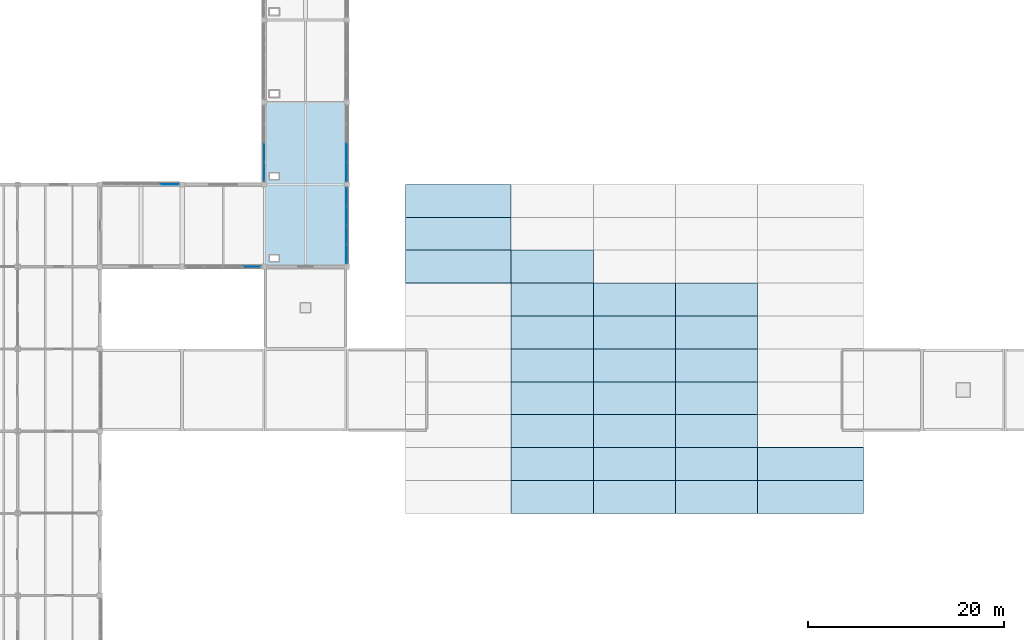
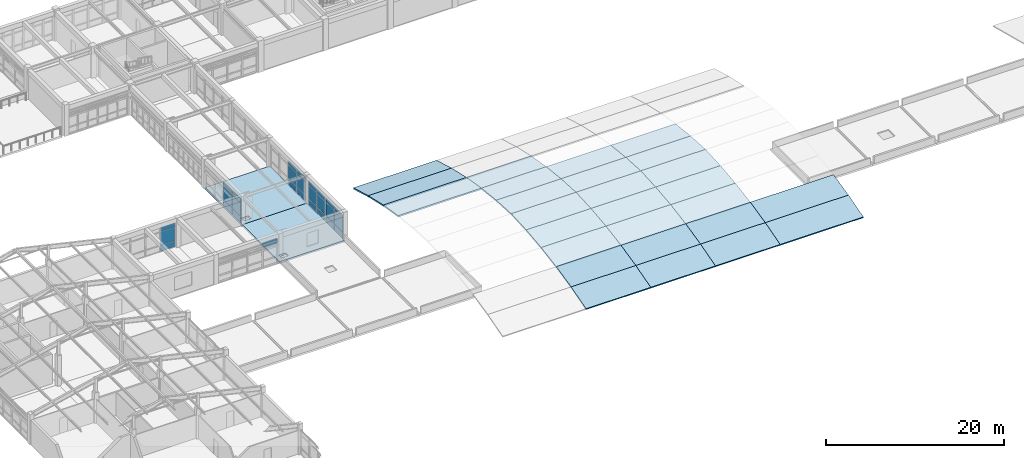
# One storey, part 22 of 40: 29 slabs, 28 plates, 5 elements without a shape of their own.
"""IFC4 building model written with IfcOpenShell, lengths in metres."""

import ifcopenshell
import ifcopenshell.guid

model = None  # the IFC model being written
_history = None  # IfcOwnerHistory: only IFC2X3 demands one
_inside = {}  # id of a spatial element -> (the spatial element, [elements in it])
_under = {}  # id of a project, library or spatial element -> (it, [spatial elements below it])
_declared = {}  # id of a project -> (the project, [libraries it declares])
_typed = {}  # id of a type object -> (the type object, [elements of that type])
_made_of = {}  # id of a material, layer set ... -> (it, [elements and type objects made of it])


def new_model(schema):
    """Start an empty IFC model of exactly this schema.

    Asked for "IFC4X3", IfcOpenShell would pick the latest addendum, in which some entities
    have other attributes; the version numbers below select the first issue.
    IFC2X3 requires an IfcOwnerHistory on every rooted entity: one is made here for all.
    """
    global model, _history
    if schema == "IFC4X3":
        model = ifcopenshell.file(schema_version=(4, 3, 0, 0))
    else:
        model = ifcopenshell.file(schema=schema)
    _inside.clear()
    _under.clear()
    _declared.clear()
    _typed.clear()
    _made_of.clear()
    _history = None
    if model.schema == "IFC2X3":
        org = make("IfcOrganization", Name="unknown")
        user = make(
            "IfcPersonAndOrganization",
            ThePerson=make("IfcPerson", FamilyName="unknown"),
            TheOrganization=org,
        )
        app = make(
            "IfcApplication",
            ApplicationDeveloper=org,
            Version="unknown",
            ApplicationFullName="unknown",
            ApplicationIdentifier="unknown",
        )
        _history = make(
            "IfcOwnerHistory",
            OwningUser=user,
            OwningApplication=app,
            ChangeAction="ADDED",
            CreationDate=0,
        )
    return model


def make(cls, **values):
    """One entity of the class cls with the attributes given. An attribute that is None is left unset."""
    return model.create_entity(
        cls, **{name: value for name, value in values.items() if value is not None}
    )


def rooted(cls, **values):
    """An entity with a GlobalId (a new one), such as an element, a storey or a relation."""
    return make(cls, GlobalId=ifcopenshell.guid.new(), OwnerHistory=_history, **values)


def si_unit(unit_type, name, prefix=None):
    """IfcSIUnit, for example si_unit("LENGTHUNIT", "METRE", prefix="MILLI")."""
    return make("IfcSIUnit", UnitType=unit_type, Prefix=prefix, Name=name)


def assignment(units):
    """IfcUnitAssignment: the units of a project."""
    return None if units is None else make("IfcUnitAssignment", Units=units)


def point(xyz):
    """IfcCartesianPoint."""
    return None if xyz is None else make("IfcCartesianPoint", Coordinates=xyz)


def direction(xyz):
    """IfcDirection."""
    return None if xyz is None else make("IfcDirection", DirectionRatios=xyz)


def frame(location, z_axis=None, x_axis=None):
    """IfcAxis2Placement3D, a coordinate frame: its origin and axes. An axis left out is left unset."""
    return make(
        "IfcAxis2Placement3D",
        Location=point(location),
        Axis=direction(z_axis),
        RefDirection=direction(x_axis),
    )


def frame_2d(location, x_axis=None):
    """IfcAxis2Placement2D, a coordinate frame in the plane: its origin and x axis."""
    return make(
        "IfcAxis2Placement2D", Location=point(location), RefDirection=direction(x_axis)
    )


def origin():
    """The frame at (0, 0, 0) with its axes left unset."""
    return frame((0.0, 0.0, 0.0))


def origin_2d():
    """The frame at (0, 0) in the plane with its x axis left unset."""
    return frame_2d((0.0, 0.0))


def place(relative_to, where):
    """IfcLocalPlacement: puts the frame where relative to a parent placement (None: the world)."""
    return make(
        "IfcLocalPlacement", PlacementRelTo=relative_to, RelativePlacement=where
    )


def context(
    kind, dimensions, precision=None, world=None, true_north=None, identifier=None
):
    """IfcGeometricRepresentationContext, for example the 3D "Model" context."""
    return make(
        "IfcGeometricRepresentationContext",
        ContextIdentifier=identifier,
        ContextType=kind,
        CoordinateSpaceDimension=dimensions,
        Precision=precision,
        WorldCoordinateSystem=world,
        TrueNorth=true_north,
    )


def subcontext(parent, identifier, kind, view, scale=None):
    """IfcGeometricRepresentationSubContext, for example "Body" below "Model"."""
    return make(
        "IfcGeometricRepresentationSubContext",
        ContextIdentifier=identifier,
        ContextType=kind,
        ParentContext=parent,
        TargetScale=scale,
        TargetView=view,
    )


def project(units=None, contexts=None):
    """IfcProject with its units and contexts."""
    return rooted(
        "IfcProject",
        Name="project",
        RepresentationContexts=contexts,
        UnitsInContext=assignment(units),
    )


def spatial(cls, under=None, at=None, **own):
    """A site, building, storey or space (cls), placed at a placement, below another one or the project."""
    s = rooted(cls, ObjectPlacement=at, **own)
    if under is not None:
        _under.setdefault(under.id(), (under, []))[1].append(s)
    return s


def polyline(points):
    """IfcPolyline through the points."""
    return make("IfcPolyline", Points=[point(p) for p in points])


def profile(cls, at=None, kind="AREA", **sizes):
    """A parametric profile (cls). Its sizes go by their IFC names, for example OverallWidth=200.0."""
    return make(cls, ProfileType=kind, Position=at, **sizes)


def rectangle(**sizes):
    """IfcRectangleProfileDef."""
    return profile("IfcRectangleProfileDef", **sizes)


def outline(outer, holes=None, kind="AREA"):
    """IfcArbitraryClosedProfileDef: a profile drawn as a closed curve; with holes, ...WithVoids."""
    if holes is None:
        return make("IfcArbitraryClosedProfileDef", ProfileType=kind, OuterCurve=outer)
    return make(
        "IfcArbitraryProfileDefWithVoids",
        ProfileType=kind,
        OuterCurve=outer,
        InnerCurves=holes,
    )


def extrude(swept, where, along, depth):
    """IfcExtrudedAreaSolid: the profile swept, set in the frame where, extruded along a direction by depth."""
    return make(
        "IfcExtrudedAreaSolid",
        SweptArea=swept,
        Position=where,
        ExtrudedDirection=direction(along),
        Depth=depth,
    )


def shape(context_of_items, identifier, shape_type, items):
    """IfcShapeRepresentation: the items that make up one representation, for example the "Body"."""
    return make(
        "IfcShapeRepresentation",
        ContextOfItems=context_of_items,
        RepresentationIdentifier=identifier,
        RepresentationType=shape_type,
        Items=items,
    )


def material(Name=None, Category=None):
    """IfcMaterial."""
    return make("IfcMaterial", Name=Name, Category=Category)


def layer(
    of_material, thickness, ventilated=None, Name=None, Category=None, Priority=None
):
    """IfcMaterialLayer: one layer of a wall or slab, of a material (None: an air gap)."""
    return make(
        "IfcMaterialLayer",
        Material=of_material,
        LayerThickness=thickness,
        IsVentilated=ventilated,
        Name=Name,
        Category=Category,
        Priority=Priority,
    )


def layer_set(layers, Name=None):
    """IfcMaterialLayerSet."""
    return make("IfcMaterialLayerSet", MaterialLayers=layers, LayerSetName=Name)


def made_of(thing, what):
    """Note that an element or type object is made of a material, layer set ...; save() writes the relation."""
    if what is not None:
        _made_of.setdefault(what.id(), (what, []))[1].append(thing)
    return thing


def type_object(cls, material=None, **own):
    """A type object (cls), such as IfcWallType, which elements share."""
    return made_of(rooted(cls, **own), material)


def element(
    cls,
    number,
    at=None,
    inside=None,
    cuts=None,
    type_object=None,
    material=None,
    context=None,
    identifier="Body",
    shape_type=None,
    held_by="IfcProductDefinitionShape",
    body=None,
    shapes=None,
    **own,
):
    """One element of the class cls, such as IfcWall. Its Tag is "e" and its number.

    at: its placement. inside: the storey or other place that contains it. cuts: it is an
    opening in that element (IfcRelVoidsElement). A single representation is given by context,
    identifier, shape_type and body (its items); several are given by shapes. held_by: the class
    of the entity that holds the representations. save() writes the other relations.
    """
    e = rooted(cls, Tag="e%d" % number, ObjectPlacement=at, **own)
    if body is not None:
        shapes = [shape(context, identifier, shape_type, body)]
    if shapes is not None:
        e.Representation = make(held_by, Representations=shapes)
    if inside is not None:
        _inside.setdefault(inside.id(), (inside, []))[1].append(e)
    if cuts is not None:
        rooted(
            "IfcRelVoidsElement", RelatingBuildingElement=cuts, RelatedOpeningElement=e
        )
    if type_object is not None:
        _typed.setdefault(type_object.id(), (type_object, []))[1].append(e)
    return made_of(e, material)


def aggregate(whole, parts):
    """IfcRelAggregates: a whole, such as a stair, and the parts it consists of."""
    return rooted("IfcRelAggregates", RelatingObject=whole, RelatedObjects=parts)


def save(model, path):
    """Write the relations noted so far, then the file.

    IfcRelAggregates (storeys below a building ...), IfcRelContainedInSpatialStructure (elements
    in a storey), IfcRelDefinesByType, IfcRelAssociatesMaterial and IfcRelDeclares: one each for
    every whole, place, type object, material and project.
    """
    for whole, parts in _under.values():
        aggregate(whole, parts)
    for where, things in _inside.values():
        rooted(
            "IfcRelContainedInSpatialStructure",
            RelatedElements=things,
            RelatingStructure=where,
        )
    for kind, things in _typed.values():
        rooted("IfcRelDefinesByType", RelatedObjects=things, RelatingType=kind)
    for what, things in _made_of.values():
        rooted("IfcRelAssociatesMaterial", RelatedObjects=things, RelatingMaterial=what)
    for by, libraries in _declared.values():
        rooted("IfcRelDeclares", RelatingContext=by, RelatedDefinitions=libraries)
    model.write(path)


model = new_model("IFC4")

# Units and contexts
model_context = context("Model", 3, precision=1e-05, world=origin(), true_north=direction((0.0, 1.0)))
body_context = subcontext(model_context, "Body", "Model", "MODEL_VIEW")
ifc_project = project(units=[si_unit("LENGTHUNIT", "METRE"), si_unit("AREAUNIT", "SQUARE_METRE"), si_unit("VOLUMEUNIT", "CUBIC_METRE"), si_unit("PLANEANGLEUNIT", "RADIAN"), si_unit("MASSUNIT", "GRAM", prefix="KILO")], contexts=[model_context])

# Site, building, storey
site_placement = place(None, origin())
site = spatial("IfcSite", under=ifc_project, at=site_placement, CompositionType="ELEMENT")
building_placement = place(site_placement, origin())
building = spatial("IfcBuilding", under=site, at=building_placement, Name="Porcellanite Civic Hall", CompositionType="ELEMENT")
storey_placement = place(building_placement, frame((0.0, 0.0, 19.080078125)))
storey = spatial("IfcBuildingStorey", under=building, at=storey_placement, Name="L04", CompositionType="ELEMENT", Elevation=19.080078125)

# Curtain wall, plates
ifc_material_1 = material(Name="Anodised aluminium and solar laminated glass", Category="aluminium")
ifc_layer_1 = layer(ifc_material_1, 0.179931640625)
ifc_layer_set_1 = layer_set([ifc_layer_1], Name="Anodised aluminium and solar laminated glass")
curtain_wall_type_1 = type_object("IfcCurtainWallType", Name="CW-SYS03", PredefinedType="NOTDEFINED", material=ifc_layer_set_1)
curtain_wall_1_placement = place(storey_placement, origin())
curtain_wall_1 = element("IfcCurtainWall", 1, at=curtain_wall_1_placement, inside=storey, type_object=curtain_wall_type_1, Name="Curtain wall CW-240", PredefinedType="NOTDEFINED")
ifc_material_2 = material(Name="Cyclone laminated solar-control low-E glass", Category="glass")
ifc_layer_2 = layer(ifc_material_2, 0.02392578125)
ifc_layer_set_2 = layer_set([ifc_layer_2], Name="Cyclone laminated solar-control low-E glass")
plate_type_1 = type_object("IfcPlateType", Name="CWP-01", PredefinedType="CURTAIN_PANEL", material=ifc_layer_set_2)
plate_1_placement = place(storey_placement, frame((58.800048828125, 74.322998046875, 0.054931640625), z_axis=(0.0, 0.0, 1.0), x_axis=(0.0, -1.0, 0.0)))
plate_1 = element("IfcPlate", 2, at=plate_1_placement, type_object=plate_type_1, Name="CW-240 panel 1.1", PredefinedType="CURTAIN_PANEL", context=body_context, shape_type="SweptSolid", body=[
    extrude(rectangle(XDim=1.842041015625, YDim=0.02392578125, at=origin_2d()), origin(), (0.0, 0.0, 1.0), 0.8173828125),
])
plate_2_placement = place(storey_placement, frame((58.800048828125, 74.322998046875, 0.92724609375), z_axis=(0.0, 0.0, 1.0), x_axis=(0.0, -1.0, 0.0)))
plate_2 = element("IfcPlate", 3, at=plate_2_placement, type_object=plate_type_1, Name="CW-240 panel 1.2", PredefinedType="CURTAIN_PANEL", context=body_context, shape_type="SweptSolid", body=[
    extrude(rectangle(XDim=1.842041015625, YDim=0.02392578125, at=origin_2d()), origin(), (0.0, 0.0, 1.0), 1.764892578125),
])
plate_3_placement = place(storey_placement, frame((58.800048828125, 74.322998046875, 2.74755859375), z_axis=(0.0, 0.0, 1.0), x_axis=(0.0, -1.0, 0.0)))
plate_3 = element("IfcPlate", 4, at=plate_3_placement, type_object=plate_type_1, Name="CW-240 panel 1.3", PredefinedType="CURTAIN_PANEL", context=body_context, shape_type="SweptSolid", body=[
    extrude(rectangle(XDim=1.842041015625, YDim=0.02392578125, at=origin_2d()), origin(), (0.0, 0.0, 1.0), 0.5673828125),
])
plate_4_placement = place(storey_placement, frame((58.800048828125, 72.381103515625, 0.054931640625), z_axis=(0.0, 0.0, 1.0), x_axis=(0.0, -1.0, 0.0)))
plate_4 = element("IfcPlate", 5, at=plate_4_placement, type_object=plate_type_1, Name="CW-240 panel 2.1", PredefinedType="CURTAIN_PANEL", context=body_context, shape_type="SweptSolid", body=[
    extrude(rectangle(XDim=1.882080078125, YDim=0.02392578125, at=origin_2d()), origin(), (0.0, 0.0, 1.0), 0.8173828125),
])
plate_5_placement = place(storey_placement, frame((58.800048828125, 72.381103515625, 0.92724609375), z_axis=(0.0, 0.0, 1.0), x_axis=(0.0, -1.0, 0.0)))
plate_5 = element("IfcPlate", 6, at=plate_5_placement, type_object=plate_type_1, Name="CW-240 panel 2.2", PredefinedType="CURTAIN_PANEL", context=body_context, shape_type="SweptSolid", body=[
    extrude(rectangle(XDim=1.882080078125, YDim=0.02392578125, at=origin_2d()), origin(), (0.0, 0.0, 1.0), 1.764892578125),
])
plate_6_placement = place(storey_placement, frame((58.800048828125, 72.381103515625, 2.74755859375), z_axis=(0.0, 0.0, 1.0), x_axis=(0.0, -1.0, 0.0)))
plate_6 = element("IfcPlate", 7, at=plate_6_placement, type_object=plate_type_1, Name="CW-240 panel 2.3", PredefinedType="CURTAIN_PANEL", context=body_context, shape_type="SweptSolid", body=[
    extrude(rectangle(XDim=1.882080078125, YDim=0.02392578125, at=origin_2d()), origin(), (0.0, 0.0, 1.0), 0.5673828125),
])
plate_7_placement = place(storey_placement, frame((58.800048828125, 70.4189453125, 0.054931640625), z_axis=(0.0, 0.0, 1.0), x_axis=(0.0, -1.0, 0.0)))
plate_7 = element("IfcPlate", 8, at=plate_7_placement, type_object=plate_type_1, Name="CW-240 panel 3.1", PredefinedType="CURTAIN_PANEL", context=body_context, shape_type="SweptSolid", body=[
    extrude(rectangle(XDim=1.882080078125, YDim=0.02392578125, at=origin_2d()), origin(), (0.0, 0.0, 1.0), 0.8173828125),
])
plate_8_placement = place(storey_placement, frame((58.800048828125, 70.4189453125, 0.92724609375), z_axis=(0.0, 0.0, 1.0), x_axis=(0.0, -1.0, 0.0)))
plate_8 = element("IfcPlate", 9, at=plate_8_placement, type_object=plate_type_1, Name="CW-240 panel 3.2", PredefinedType="CURTAIN_PANEL", context=body_context, shape_type="SweptSolid", body=[
    extrude(rectangle(XDim=1.882080078125, YDim=0.02392578125, at=origin_2d()), origin(), (0.0, 0.0, 1.0), 1.764892578125),
])
plate_9_placement = place(storey_placement, frame((58.800048828125, 70.4189453125, 2.74755859375), z_axis=(0.0, 0.0, 1.0), x_axis=(0.0, -1.0, 0.0)))
plate_9 = element("IfcPlate", 10, at=plate_9_placement, type_object=plate_type_1, Name="CW-240 panel 3.3", PredefinedType="CURTAIN_PANEL", context=body_context, shape_type="SweptSolid", body=[
    extrude(rectangle(XDim=1.882080078125, YDim=0.02392578125, at=origin_2d()), origin(), (0.0, 0.0, 1.0), 0.5673828125),
])
plate_10_placement = place(storey_placement, frame((58.800048828125, 68.47705078125, 0.054931640625), z_axis=(0.0, 0.0, 1.0), x_axis=(0.0, -1.0, 0.0)))
plate_10 = element("IfcPlate", 11, at=plate_10_placement, type_object=plate_type_1, Name="CW-240 panel 4.1", PredefinedType="CURTAIN_PANEL", context=body_context, shape_type="SweptSolid", body=[
    extrude(rectangle(XDim=1.842041015625, YDim=0.02392578125, at=origin_2d()), origin(), (0.0, 0.0, 1.0), 0.8173828125),
])
plate_11_placement = place(storey_placement, frame((58.800048828125, 68.47705078125, 0.92724609375), z_axis=(0.0, 0.0, 1.0), x_axis=(0.0, -1.0, 0.0)))
plate_11 = element("IfcPlate", 12, at=plate_11_placement, type_object=plate_type_1, Name="CW-240 panel 4.2", PredefinedType="CURTAIN_PANEL", context=body_context, shape_type="SweptSolid", body=[
    extrude(rectangle(XDim=1.842041015625, YDim=0.02392578125, at=origin_2d()), origin(), (0.0, 0.0, 1.0), 1.764892578125),
])
plate_12_placement = place(storey_placement, frame((58.800048828125, 68.47705078125, 2.74755859375), z_axis=(0.0, 0.0, 1.0), x_axis=(0.0, -1.0, 0.0)))
plate_12 = element("IfcPlate", 13, at=plate_12_placement, type_object=plate_type_1, Name="CW-240 panel 4.3", PredefinedType="CURTAIN_PANEL", context=body_context, shape_type="SweptSolid", body=[
    extrude(rectangle(XDim=1.842041015625, YDim=0.02392578125, at=origin_2d()), origin(), (0.0, 0.0, 1.0), 0.5673828125),
])
aggregate(curtain_wall_1, [plate_1, plate_2, plate_3, plate_4, plate_5, plate_6, plate_7, plate_8, plate_9, plate_10, plate_11, plate_12])

ifc_material_3 = material(Name="Anodised aluminium and solar laminated glass", Category="aluminium")
ifc_layer_3 = layer(ifc_material_3, 0.179931640625)
ifc_layer_set_3 = layer_set([ifc_layer_3], Name="Anodised aluminium and solar laminated glass")
curtain_wall_type_2 = type_object("IfcCurtainWallType", Name="CW-SYS04", PredefinedType="NOTDEFINED", material=ifc_layer_set_3)
curtain_wall_2_placement = place(storey_placement, origin())
curtain_wall_2 = element("IfcCurtainWall", 14, at=curtain_wall_2_placement, inside=storey, type_object=curtain_wall_type_2, Name="Curtain wall CW-241", PredefinedType="NOTDEFINED")
ifc_material_4 = material(Name="Cyclone laminated solar-control low-E glass", Category="glass")
ifc_layer_4 = layer(ifc_material_4, 0.02587890625)
ifc_layer_set_4 = layer_set([ifc_layer_4], Name="Cyclone laminated solar-control low-E glass")
plate_type_2 = type_object("IfcPlateType", Name="CWP-02", PredefinedType="CURTAIN_PANEL", material=ifc_layer_set_4)
plate_13_placement = place(storey_placement, frame((50.39990234375, 76.875732421875, 0.054931640625), z_axis=(0.0, 0.0, 1.0), x_axis=(0.0, 1.0, 0.0)))
plate_13 = element("IfcPlate", 15, at=plate_13_placement, type_object=plate_type_2, Name="CW-241 panel 1.1", PredefinedType="CURTAIN_PANEL", context=body_context, shape_type="SweptSolid", body=[
    extrude(rectangle(XDim=1.849609375, YDim=0.02587890625, at=origin_2d()), origin(), (0.0, 0.0, 1.0), 0.8173828125),
])
plate_14_placement = place(storey_placement, frame((50.39990234375, 76.875732421875, 0.92724609375), z_axis=(0.0, 0.0, 1.0), x_axis=(0.0, 1.0, 0.0)))
plate_14 = element("IfcPlate", 16, at=plate_14_placement, type_object=plate_type_2, Name="CW-241 panel 1.2", PredefinedType="CURTAIN_PANEL", context=body_context, shape_type="SweptSolid", body=[
    extrude(rectangle(XDim=1.849609375, YDim=0.02587890625, at=origin_2d()), origin(), (0.0, 0.0, 1.0), 1.764892578125),
])
plate_15_placement = place(storey_placement, frame((50.39990234375, 76.875732421875, 2.74755859375), z_axis=(0.0, 0.0, 1.0), x_axis=(0.0, 1.0, 0.0)))
plate_15 = element("IfcPlate", 17, at=plate_15_placement, type_object=plate_type_2, Name="CW-241 panel 1.3", PredefinedType="CURTAIN_PANEL", context=body_context, shape_type="SweptSolid", body=[
    extrude(rectangle(XDim=1.849609375, YDim=0.02587890625, at=origin_2d()), origin(), (0.0, 0.0, 1.0), 0.5673828125),
])
plate_16_placement = place(storey_placement, frame((50.39990234375, 78.819091796875, 0.054931640625), z_axis=(0.0, 0.0, 1.0), x_axis=(0.0, 1.0, 0.0)))
plate_16 = element("IfcPlate", 18, at=plate_16_placement, type_object=plate_type_2, Name="CW-241 panel 2.1", PredefinedType="CURTAIN_PANEL", context=body_context, shape_type="SweptSolid", body=[
    extrude(rectangle(XDim=1.886962890625, YDim=0.02587890625, at=origin_2d()), origin(), (0.0, 0.0, 1.0), 0.8173828125),
])
plate_17_placement = place(storey_placement, frame((50.39990234375, 78.819091796875, 0.92724609375), z_axis=(0.0, 0.0, 1.0), x_axis=(0.0, 1.0, 0.0)))
plate_17 = element("IfcPlate", 19, at=plate_17_placement, type_object=plate_type_2, Name="CW-241 panel 2.2", PredefinedType="CURTAIN_PANEL", context=body_context, shape_type="SweptSolid", body=[
    extrude(rectangle(XDim=1.886962890625, YDim=0.02587890625, at=origin_2d()), origin(), (0.0, 0.0, 1.0), 1.764892578125),
])
plate_18_placement = place(storey_placement, frame((50.39990234375, 78.819091796875, 2.74755859375), z_axis=(0.0, 0.0, 1.0), x_axis=(0.0, 1.0, 0.0)))
plate_18 = element("IfcPlate", 20, at=plate_18_placement, type_object=plate_type_2, Name="CW-241 panel 2.3", PredefinedType="CURTAIN_PANEL", context=body_context, shape_type="SweptSolid", body=[
    extrude(rectangle(XDim=1.886962890625, YDim=0.02587890625, at=origin_2d()), origin(), (0.0, 0.0, 1.0), 0.5673828125),
])
aggregate(curtain_wall_2, [plate_13, plate_14, plate_15, plate_16, plate_17, plate_18])

ifc_material_5 = material(Name="Anodised aluminium and solar laminated glass", Category="aluminium")
ifc_layer_5 = layer(ifc_material_5, 0.179931640625)
ifc_layer_set_5 = layer_set([ifc_layer_5], Name="Anodised aluminium and solar laminated glass")
curtain_wall_type_3 = type_object("IfcCurtainWallType", Name="CW-SYS06", PredefinedType="NOTDEFINED", material=ifc_layer_set_5)
curtain_wall_3_placement = place(storey_placement, origin())
curtain_wall_3 = element("IfcCurtainWall", 21, at=curtain_wall_3_placement, inside=storey, type_object=curtain_wall_type_3, Name="Curtain wall CW-242", PredefinedType="NOTDEFINED")
ifc_material_6 = material(Name="Cyclone laminated solar-control low-E glass", Category="glass")
ifc_layer_6 = layer(ifc_material_6, 0.028076171875)
ifc_layer_set_6 = layer_set([ifc_layer_6], Name="Cyclone laminated solar-control low-E glass")
plate_type_3 = type_object("IfcPlateType", Name="CWP-03", PredefinedType="CURTAIN_PANEL", material=ifc_layer_set_6)
plate_19_placement = place(storey_placement, frame((58.800048828125, 78.819091796875, 0.0498046875), z_axis=(0.0, 0.0, 1.0), x_axis=(0.0, -1.0, 0.0)))
plate_19 = element("IfcPlate", 22, at=plate_19_placement, type_object=plate_type_3, Name="CW-242 panel 3.1", PredefinedType="CURTAIN_PANEL", context=body_context, shape_type="SweptSolid", body=[
    extrude(rectangle(XDim=1.89697265625, YDim=0.028076171875, at=origin_2d()), origin(), (0.0, 0.0, 1.0), 0.824951171875),
])
plate_20_placement = place(storey_placement, frame((58.800048828125, 78.819091796875, 0.9248046875), z_axis=(0.0, 0.0, 1.0), x_axis=(0.0, -1.0, 0.0)))
plate_20 = element("IfcPlate", 23, at=plate_20_placement, type_object=plate_type_3, Name="CW-242 panel 3.2", PredefinedType="CURTAIN_PANEL", context=body_context, shape_type="SweptSolid", body=[
    extrude(rectangle(XDim=1.89697265625, YDim=0.028076171875, at=origin_2d()), origin(), (0.0, 0.0, 1.0), 1.77001953125),
])
plate_21_placement = place(storey_placement, frame((58.800048828125, 78.819091796875, 2.7451171875), z_axis=(0.0, 0.0, 1.0), x_axis=(0.0, -1.0, 0.0)))
plate_21 = element("IfcPlate", 24, at=plate_21_placement, type_object=plate_type_3, Name="CW-242 panel 3.3", PredefinedType="CURTAIN_PANEL", context=body_context, shape_type="SweptSolid", body=[
    extrude(rectangle(XDim=1.89697265625, YDim=0.028076171875, at=origin_2d()), origin(), (0.0, 0.0, 1.0), 0.574951171875),
])
plate_22_placement = place(storey_placement, frame((58.800048828125, 76.873291015625, 0.0498046875), z_axis=(0.0, 0.0, 1.0), x_axis=(0.0, -1.0, 0.0)))
plate_22 = element("IfcPlate", 25, at=plate_22_placement, type_object=plate_type_3, Name="CW-242 panel 4.1", PredefinedType="CURTAIN_PANEL", context=body_context, shape_type="SweptSolid", body=[
    extrude(rectangle(XDim=1.864501953125, YDim=0.028076171875, at=origin_2d()), origin(), (0.0, 0.0, 1.0), 0.824951171875),
])
plate_23_placement = place(storey_placement, frame((58.800048828125, 76.873291015625, 0.9248046875), z_axis=(0.0, 0.0, 1.0), x_axis=(0.0, -1.0, 0.0)))
plate_23 = element("IfcPlate", 26, at=plate_23_placement, type_object=plate_type_3, Name="CW-242 panel 4.2", PredefinedType="CURTAIN_PANEL", context=body_context, shape_type="SweptSolid", body=[
    extrude(rectangle(XDim=1.864501953125, YDim=0.028076171875, at=origin_2d()), origin(), (0.0, 0.0, 1.0), 1.77001953125),
])
plate_24_placement = place(storey_placement, frame((58.800048828125, 76.873291015625, 2.7451171875), z_axis=(0.0, 0.0, 1.0), x_axis=(0.0, -1.0, 0.0)))
plate_24 = element("IfcPlate", 27, at=plate_24_placement, type_object=plate_type_3, Name="CW-242 panel 4.3", PredefinedType="CURTAIN_PANEL", context=body_context, shape_type="SweptSolid", body=[
    extrude(rectangle(XDim=1.864501953125, YDim=0.028076171875, at=origin_2d()), origin(), (0.0, 0.0, 1.0), 0.574951171875),
])
aggregate(curtain_wall_3, [plate_19, plate_20, plate_21, plate_22, plate_23, plate_24])

curtain_wall_4_placement = place(storey_placement, origin())
curtain_wall_4 = element("IfcCurtainWall", 28, at=curtain_wall_4_placement, inside=storey, type_object=curtain_wall_type_2, Name="Curtain wall CW-235", PredefinedType="NOTDEFINED")
ifc_material_7 = material(Name="Cyclone laminated solar-control low-E glass", Category="glass")
ifc_layer_7 = layer(ifc_material_7, 0.033935546875)
ifc_layer_set_7 = layer_set([ifc_layer_7], Name="Cyclone laminated solar-control low-E glass")
plate_type_4 = type_object("IfcPlateType", Name="CWP-06", PredefinedType="CURTAIN_PANEL", material=ifc_layer_set_7)
plate_25_placement = place(storey_placement, frame((40.724365234375, 75.60009765625, 0.054931640625), z_axis=(0.0, 0.0, 1.0), x_axis=(1.0, 0.0, 0.0)))
plate_25 = element("IfcPlate", 29, at=plate_25_placement, type_object=plate_type_4, Name="CW-235 panel 4.1", PredefinedType="CURTAIN_PANEL", context=body_context, shape_type="SweptSolid", body=[
    extrude(rectangle(XDim=1.849609375, YDim=0.033935546875, at=origin_2d()), origin(), (0.0, 0.0, 1.0), 0.8173828125),
])
plate_26_placement = place(storey_placement, frame((40.724365234375, 75.60009765625, 0.92724609375), z_axis=(0.0, 0.0, 1.0), x_axis=(1.0, 0.0, 0.0)))
plate_26 = element("IfcPlate", 30, at=plate_26_placement, type_object=plate_type_4, Name="CW-235 panel 4.2", PredefinedType="CURTAIN_PANEL", context=body_context, shape_type="SweptSolid", body=[
    extrude(rectangle(XDim=1.849609375, YDim=0.033935546875, at=origin_2d()), origin(), (0.0, 0.0, 1.0), 1.764892578125),
])
plate_27_placement = place(storey_placement, frame((40.724365234375, 75.60009765625, 2.74755859375), z_axis=(0.0, 0.0, 1.0), x_axis=(1.0, 0.0, 0.0)))
plate_27 = element("IfcPlate", 31, at=plate_27_placement, type_object=plate_type_4, Name="CW-235 panel 4.3", PredefinedType="CURTAIN_PANEL", context=body_context, shape_type="SweptSolid", body=[
    extrude(rectangle(XDim=1.849609375, YDim=0.033935546875, at=origin_2d()), origin(), (0.0, 0.0, 1.0), 0.5673828125),
])
aggregate(curtain_wall_4, [plate_25, plate_26, plate_27])

# Curtain wall, plate
curtain_wall_5_placement = place(storey_placement, origin())
curtain_wall_5 = element("IfcCurtainWall", 32, at=curtain_wall_5_placement, inside=storey, type_object=curtain_wall_type_3, Name="Curtain wall CW-236", PredefinedType="NOTDEFINED")
ifc_material_8 = material(Name="Cyclone laminated solar-control low-E glass", Category="glass")
ifc_layer_8 = layer(ifc_material_8, 0.035888671875)
ifc_layer_set_8 = layer_set([ifc_layer_8], Name="Cyclone laminated solar-control low-E glass")
plate_type_5 = type_object("IfcPlateType", Name="CWP-07", PredefinedType="CURTAIN_PANEL", material=ifc_layer_set_8)
plate_28_placement = place(storey_placement, frame((49.126708984375, 67.199951171875, 2.7451171875), z_axis=(0.0, 0.0, 1.0), x_axis=(-1.0, 0.0, 0.0)))
plate_28 = element("IfcPlate", 33, at=plate_28_placement, type_object=plate_type_5, Name="CW-236 panel 1.3", PredefinedType="CURTAIN_PANEL", context=body_context, shape_type="SweptSolid", body=[
    extrude(rectangle(XDim=1.864501953125, YDim=0.035888671875, at=origin_2d()), origin(), (0.0, 0.0, 1.0), 0.574951171875),
])
aggregate(curtain_wall_5, [plate_28])

# Slabs
ifc_material_9 = material(Name="Concrete N40 (40 MPa)", Category="concrete")
ifc_layer_9 = layer(ifc_material_9, 0.25)
ifc_layer_set_9 = layer_set([ifc_layer_9], Name="Concrete N40 (40 MPa)")
slab_type_1 = type_object("IfcSlabType", Name="SL-FL250", PredefinedType="FLOOR", material=ifc_layer_set_9)
slab_1_placement = place(storey_placement, frame((0.0, 0.0, -0.25)))
element("IfcSlab", 34, at=slab_1_placement, inside=storey, type_object=slab_type_1, Name="Slab L04 bay 7-9", PredefinedType="FLOOR", context=body_context, shape_type="SweptSolid", body=[
    extrude(outline(polyline([(50.39990234375, 67.199951171875), (58.800048828125, 67.199951171875), (58.800048828125, 75.60009765625), (50.39990234375, 75.60009765625), (50.39990234375, 67.199951171875)]), holes=[polyline([(50.949951171875, 67.75), (51.85009765625, 67.75), (51.85009765625, 68.35009765625), (50.949951171875, 68.35009765625), (50.949951171875, 67.75)])]), origin(), (0.0, 0.0, 1.0), 0.25),
])
slab_2_placement = place(storey_placement, frame((0.0, 0.0, -0.25)))
element("IfcSlab", 35, at=slab_2_placement, inside=storey, type_object=slab_type_1, Name="Slab L04 bay 7-10", PredefinedType="FLOOR", context=body_context, shape_type="SweptSolid", body=[
    extrude(outline(polyline([(50.39990234375, 75.60009765625), (58.800048828125, 75.60009765625), (58.800048828125, 84.0), (50.39990234375, 84.0), (50.39990234375, 75.60009765625)]), holes=[polyline([(50.949951171875, 76.14990234375), (51.85009765625, 76.14990234375), (51.85009765625, 76.75), (50.949951171875, 76.75), (50.949951171875, 76.14990234375)])]), origin(), (0.0, 0.0, 1.0), 0.25),
])
ifc_material_10 = material(Name="Concrete N40 (40 MPa)", Category="concrete")
ifc_layer_10 = layer(ifc_material_10, 0.179931640625)
ifc_layer_set_10 = layer_set([ifc_layer_10], Name="Concrete N40 (40 MPa)")
slab_type_2 = type_object("IfcSlabType", Name="SL-SHELL180", PredefinedType="ROOF", material=ifc_layer_set_10)
slab_3_placement = place(storey_placement, frame((64.800048828125, 65.52001953125, 2.295166015625), z_axis=(0.0, 0.166791866742, 0.985992126332), x_axis=(1.0, 0.0, 0.0)))
element("IfcSlab", 36, at=slab_3_placement, inside=storey, type_object=slab_type_2, Name="Council Chamber concrete shell facet 8 8", PredefinedType="ROOF", context=body_context, shape_type="SweptSolid", body=[
    extrude(outline(polyline([(0.0, 0.0), (10.800048828125, 0.0), (10.800048828125, 3.4075964620010986), (0.0, 3.4075964620010986), (0.0, 0.0)])), origin(), (0.0, 0.0, -1.0), 0.179931640625),
])
slab_4_placement = place(storey_placement, frame((64.800048828125, 68.8798828125, 1.726806640625), z_axis=(0.0, 0.221556792682, 0.975147469677), x_axis=(1.0, 0.0, 0.0)))
element("IfcSlab", 37, at=slab_4_placement, inside=storey, type_object=slab_type_2, Name="Council Chamber concrete shell facet 8 9", PredefinedType="ROOF", context=body_context, shape_type="SweptSolid", body=[
    extrude(outline(polyline([(0.0, 0.0), (10.800048828125, 0.0), (10.800048828125, 3.4457428505552183), (0.0, 3.4457428505552183), (0.0, 0.0)])), origin(), (0.0, 0.0, -1.0), 0.179931640625),
])
slab_5_placement = place(storey_placement, frame((64.800048828125, 72.239990234375, 0.96337890625), z_axis=(0.0, 0.275606587539, 0.961270518067), x_axis=(1.0, 0.0, 0.0)))
element("IfcSlab", 38, at=slab_5_placement, inside=storey, type_object=slab_type_2, Name="Council Chamber concrete shell facet 8 10", PredefinedType="ROOF", context=body_context, shape_type="SweptSolid", body=[
    extrude(outline(polyline([(0.0, 0.0), (10.800048828125, 0.0), (10.800048828125, 3.4954857750457102), (0.0, 3.4954857750457102), (0.0, 0.0)])), origin(), (0.0, 0.0, -1.0), 0.179931640625),
])
slab_6_placement = place(storey_placement, frame((75.60009765625, 42.0, 0.0), z_axis=(0.0, -0.275606587539, 0.961270518067), x_axis=(1.0, 0.0, 0.0)))
element("IfcSlab", 39, at=slab_6_placement, inside=storey, type_object=slab_type_2, Name="Council Chamber concrete shell facet 9 1", PredefinedType="ROOF", context=body_context, shape_type="SweptSolid", body=[
    extrude(outline(polyline([(0.0, 0.0), (8.39990234375, 0.0), (8.39990234375, 3.49548577504571), (0.0, 3.49548577504571), (0.0, 0.0)])), origin(), (0.0, 0.0, -1.0), 0.179931640625),
])
slab_7_placement = place(storey_placement, frame((75.60009765625, 45.360107421875, 0.96337890625), z_axis=(0.0, -0.221572101504, 0.975143991334), x_axis=(1.0, 0.0, 0.0)))
element("IfcSlab", 40, at=slab_7_placement, inside=storey, type_object=slab_type_2, Name="Council Chamber concrete shell facet 9 2", PredefinedType="ROOF", context=body_context, shape_type="SweptSolid", body=[
    extrude(outline(polyline([(0.0, 0.0), (8.39990234375, 0.0), (8.39990234375, 3.4455047778670926), (0.0, 3.4455047778670926), (0.0, 0.0)])), origin(), (0.0, 0.0, -1.0), 0.179931640625),
])
slab_8_placement = place(storey_placement, frame((75.60009765625, 48.719970703125, 1.726806640625), z_axis=(0.0, -0.166780084987, 0.985994119278), x_axis=(1.0, 0.0, 0.0)))
element("IfcSlab", 41, at=slab_8_placement, inside=storey, type_object=slab_type_2, Name="Council Chamber concrete shell facet 9 3", PredefinedType="ROOF", context=body_context, shape_type="SweptSolid", body=[
    extrude(outline(polyline([(0.0, 0.0), (8.39990234375, 0.0), (8.39990234375, 3.4078371829783554), (0.0, 3.4078371829783554), (0.0, 0.0)])), origin(), (0.0, 0.0, -1.0), 0.179931640625),
])
slab_9_placement = place(storey_placement, frame((75.60009765625, 52.080078125, 2.295166015625), z_axis=(0.0, -0.111422176271, 0.993773162565), x_axis=(1.0, 0.0, 0.0)))
element("IfcSlab", 42, at=slab_9_placement, inside=storey, type_object=slab_type_2, Name="Council Chamber concrete shell facet 9 4", PredefinedType="ROOF", context=body_context, shape_type="SweptSolid", body=[
    extrude(outline(polyline([(0.0, 0.0), (8.39990234375, 0.0), (8.39990234375, 3.380915693654733), (0.0, 3.380915693654733), (0.0, 0.0)])), origin(), (0.0, 0.0, -1.0), 0.179931640625),
])
slab_10_placement = place(storey_placement, frame((75.60009765625, 55.43994140625, 2.671875), z_axis=(0.0, -0.055859750157, 0.998438625211), x_axis=(1.0, 0.0, 0.0)))
element("IfcSlab", 43, at=slab_10_placement, inside=storey, type_object=slab_type_2, Name="Council Chamber concrete shell facet 9 5", PredefinedType="ROOF", context=body_context, shape_type="SweptSolid", body=[
    extrude(outline(polyline([(0.0, 0.0), (8.39990234375, 0.0), (8.39990234375, 3.365362013279818), (0.0, 3.365362013279818), (0.0, 0.0)])), origin(), (0.0, 0.0, -1.0), 0.179931640625),
])
slab_11_placement = place(storey_placement, frame((75.60009765625, 58.800048828125, 2.85986328125), z_axis=(0.0, 0.055863796475, 0.998438398823), x_axis=(1.0, 0.0, 0.0)))
element("IfcSlab", 44, at=slab_11_placement, inside=storey, type_object=slab_type_2, Name="Council Chamber concrete shell facet 9 6", PredefinedType="ROOF", context=body_context, shape_type="SweptSolid", body=[
    extrude(outline(polyline([(0.0, 0.0), (8.39990234375, 0.0), (8.39990234375, 3.365118253877469), (0.0, 3.365118253877469), (0.0, 0.0)])), origin(), (0.0, 0.0, -1.0), 0.179931640625),
])
slab_12_placement = place(storey_placement, frame((75.60009765625, 62.159912109375, 2.671875), z_axis=(0.0, 0.111414180991, 0.993774058966), x_axis=(1.0, 0.0, 0.0)))
element("IfcSlab", 45, at=slab_12_placement, inside=storey, type_object=slab_type_2, Name="Council Chamber concrete shell facet 9 7", PredefinedType="ROOF", context=body_context, shape_type="SweptSolid", body=[
    extrude(outline(polyline([(0.0, 0.0), (8.39990234375, 0.0), (8.39990234375, 3.381158314165178), (0.0, 3.381158314165178), (0.0, 0.0)])), origin(), (0.0, 0.0, -1.0), 0.179931640625),
])
slab_13_placement = place(storey_placement, frame((75.60009765625, 65.52001953125, 2.295166015625), z_axis=(0.0, 0.166791866742, 0.985992126332), x_axis=(1.0, 0.0, 0.0)))
element("IfcSlab", 46, at=slab_13_placement, inside=storey, type_object=slab_type_2, Name="Council Chamber concrete shell facet 9 8", PredefinedType="ROOF", context=body_context, shape_type="SweptSolid", body=[
    extrude(outline(polyline([(0.0, 0.0), (8.39990234375, 0.0), (8.39990234375, 3.4075964620010994), (0.0, 3.4075964620010994), (0.0, 0.0)])), origin(), (0.0, 0.0, -1.0), 0.179931640625),
])
slab_14_placement = place(storey_placement, frame((84.0, 42.0, 0.0), z_axis=(0.0, -0.275606587539, 0.961270518067), x_axis=(1.0, 0.0, 0.0)))
element("IfcSlab", 47, at=slab_14_placement, inside=storey, type_object=slab_type_2, Name="Council Chamber concrete shell facet 10 1", PredefinedType="ROOF", context=body_context, shape_type="SweptSolid", body=[
    extrude(outline(polyline([(0.0, 0.0), (8.39990234375, 0.0), (8.39990234375, 3.49548577504571), (0.0, 3.49548577504571), (0.0, 0.0)])), origin(), (0.0, 0.0, -1.0), 0.179931640625),
])
slab_15_placement = place(storey_placement, frame((84.0, 45.360107421875, 0.96337890625), z_axis=(0.0, -0.221572101504, 0.975143991334), x_axis=(1.0, 0.0, 0.0)))
element("IfcSlab", 48, at=slab_15_placement, inside=storey, type_object=slab_type_2, Name="Council Chamber concrete shell facet 10 2", PredefinedType="ROOF", context=body_context, shape_type="SweptSolid", body=[
    extrude(outline(polyline([(0.0, 0.0), (8.39990234375, 0.0), (8.39990234375, 3.4455047778670926), (0.0, 3.4455047778670926), (0.0, 0.0)])), origin(), (0.0, 0.0, -1.0), 0.179931640625),
])
slab_16_placement = place(storey_placement, frame((84.0, 48.719970703125, 1.726806640625), z_axis=(0.0, -0.166780084987, 0.985994119278), x_axis=(1.0, 0.0, 0.0)))
element("IfcSlab", 49, at=slab_16_placement, inside=storey, type_object=slab_type_2, Name="Council Chamber concrete shell facet 10 3", PredefinedType="ROOF", context=body_context, shape_type="SweptSolid", body=[
    extrude(outline(polyline([(0.0, 0.0), (8.39990234375, 0.0), (8.39990234375, 3.4078371829783554), (0.0, 3.4078371829783554), (0.0, 0.0)])), origin(), (0.0, 0.0, -1.0), 0.179931640625),
])
slab_17_placement = place(storey_placement, frame((84.0, 52.080078125, 2.295166015625), z_axis=(0.0, -0.111422176271, 0.993773162565), x_axis=(1.0, 0.0, 0.0)))
element("IfcSlab", 50, at=slab_17_placement, inside=storey, type_object=slab_type_2, Name="Council Chamber concrete shell facet 10 4", PredefinedType="ROOF", context=body_context, shape_type="SweptSolid", body=[
    extrude(outline(polyline([(0.0, 0.0), (8.39990234375, 0.0), (8.39990234375, 3.380915693654733), (0.0, 3.380915693654733), (0.0, 0.0)])), origin(), (0.0, 0.0, -1.0), 0.179931640625),
])
slab_18_placement = place(storey_placement, frame((84.0, 55.43994140625, 2.671875), z_axis=(0.0, -0.055859750157, 0.998438625211), x_axis=(1.0, 0.0, 0.0)))
element("IfcSlab", 51, at=slab_18_placement, inside=storey, type_object=slab_type_2, Name="Council Chamber concrete shell facet 10 5", PredefinedType="ROOF", context=body_context, shape_type="SweptSolid", body=[
    extrude(outline(polyline([(0.0, 0.0), (8.39990234375, 0.0), (8.39990234375, 3.365362013279818), (0.0, 3.365362013279818), (0.0, 0.0)])), origin(), (0.0, 0.0, -1.0), 0.179931640625),
])
slab_19_placement = place(storey_placement, frame((84.0, 58.800048828125, 2.85986328125), z_axis=(0.0, 0.055863796475, 0.998438398823), x_axis=(1.0, 0.0, 0.0)))
element("IfcSlab", 52, at=slab_19_placement, inside=storey, type_object=slab_type_2, Name="Council Chamber concrete shell facet 10 6", PredefinedType="ROOF", context=body_context, shape_type="SweptSolid", body=[
    extrude(outline(polyline([(0.0, 0.0), (8.39990234375, 0.0), (8.39990234375, 3.365118253877469), (0.0, 3.365118253877469), (0.0, 0.0)])), origin(), (0.0, 0.0, -1.0), 0.179931640625),
])
slab_20_placement = place(storey_placement, frame((84.0, 62.159912109375, 2.671875), z_axis=(0.0, 0.111414180991, 0.993774058966), x_axis=(1.0, 0.0, 0.0)))
element("IfcSlab", 53, at=slab_20_placement, inside=storey, type_object=slab_type_2, Name="Council Chamber concrete shell facet 10 7", PredefinedType="ROOF", context=body_context, shape_type="SweptSolid", body=[
    extrude(outline(polyline([(0.0, 0.0), (8.39990234375, 0.0), (8.39990234375, 3.381158314165178), (0.0, 3.381158314165178), (0.0, 0.0)])), origin(), (0.0, 0.0, -1.0), 0.179931640625),
])
slab_21_placement = place(storey_placement, frame((92.39990234375, 42.0, 0.0), z_axis=(0.0, -0.275606587539, 0.961270518067), x_axis=(1.0, 0.0, 0.0)))
element("IfcSlab", 54, at=slab_21_placement, inside=storey, type_object=slab_type_2, Name="Council Chamber concrete shell facet 11 1", PredefinedType="ROOF", context=body_context, shape_type="SweptSolid", body=[
    extrude(outline(polyline([(0.0, 0.0), (8.400146484375, 0.0), (8.400146484375, 3.49548577504571), (0.0, 3.49548577504571), (0.0, 0.0)])), origin(), (0.0, 0.0, -1.0), 0.179931640625),
])
slab_22_placement = place(storey_placement, frame((92.39990234375, 45.360107421875, 0.96337890625), z_axis=(0.0, -0.221572101504, 0.975143991334), x_axis=(1.0, 0.0, 0.0)))
element("IfcSlab", 55, at=slab_22_placement, inside=storey, type_object=slab_type_2, Name="Council Chamber concrete shell facet 11 2", PredefinedType="ROOF", context=body_context, shape_type="SweptSolid", body=[
    extrude(outline(polyline([(0.0, 0.0), (8.400146484375, 0.0), (8.400146484375, 3.445504777867092), (0.0, 3.445504777867092), (0.0, 0.0)])), origin(), (0.0, 0.0, -1.0), 0.179931640625),
])
slab_23_placement = place(storey_placement, frame((92.39990234375, 48.719970703125, 1.726806640625), z_axis=(0.0, -0.166780084987, 0.985994119278), x_axis=(1.0, 0.0, 0.0)))
element("IfcSlab", 56, at=slab_23_placement, inside=storey, type_object=slab_type_2, Name="Council Chamber concrete shell facet 11 3", PredefinedType="ROOF", context=body_context, shape_type="SweptSolid", body=[
    extrude(outline(polyline([(0.0, 0.0), (8.400146484375, 0.0), (8.400146484375, 3.407837182978355), (0.0, 3.407837182978355), (0.0, 0.0)])), origin(), (0.0, 0.0, -1.0), 0.179931640625),
])
slab_24_placement = place(storey_placement, frame((92.39990234375, 52.080078125, 2.295166015625), z_axis=(0.0, -0.111422176271, 0.993773162565), x_axis=(1.0, 0.0, 0.0)))
element("IfcSlab", 57, at=slab_24_placement, inside=storey, type_object=slab_type_2, Name="Council Chamber concrete shell facet 11 4", PredefinedType="ROOF", context=body_context, shape_type="SweptSolid", body=[
    extrude(outline(polyline([(0.0, 0.0), (8.400146484375, 0.0), (8.400146484375, 3.3809156936547327), (0.0, 3.3809156936547327), (0.0, 0.0)])), origin(), (0.0, 0.0, -1.0), 0.179931640625),
])
slab_25_placement = place(storey_placement, frame((92.39990234375, 55.43994140625, 2.671875), z_axis=(0.0, -0.055859750157, 0.998438625211), x_axis=(1.0, 0.0, 0.0)))
element("IfcSlab", 58, at=slab_25_placement, inside=storey, type_object=slab_type_2, Name="Council Chamber concrete shell facet 11 5", PredefinedType="ROOF", context=body_context, shape_type="SweptSolid", body=[
    extrude(outline(polyline([(0.0, 0.0), (8.400146484375, 0.0), (8.400146484375, 3.3653620132798174), (0.0, 3.3653620132798174), (0.0, 0.0)])), origin(), (0.0, 0.0, -1.0), 0.179931640625),
])
slab_26_placement = place(storey_placement, frame((92.39990234375, 58.800048828125, 2.85986328125), z_axis=(0.0, 0.055863796475, 0.998438398823), x_axis=(1.0, 0.0, 0.0)))
element("IfcSlab", 59, at=slab_26_placement, inside=storey, type_object=slab_type_2, Name="Council Chamber concrete shell facet 11 6", PredefinedType="ROOF", context=body_context, shape_type="SweptSolid", body=[
    extrude(outline(polyline([(0.0, 0.0), (8.400146484375, 0.0), (8.400146484375, 3.3651182538774687), (0.0, 3.3651182538774687), (0.0, 0.0)])), origin(), (0.0, 0.0, -1.0), 0.179931640625),
])
slab_27_placement = place(storey_placement, frame((92.39990234375, 62.159912109375, 2.671875), z_axis=(0.0, 0.111414180991, 0.993774058966), x_axis=(1.0, 0.0, 0.0)))
element("IfcSlab", 60, at=slab_27_placement, inside=storey, type_object=slab_type_2, Name="Council Chamber concrete shell facet 11 7", PredefinedType="ROOF", context=body_context, shape_type="SweptSolid", body=[
    extrude(outline(polyline([(0.0, 0.0), (8.400146484375, 0.0), (8.400146484375, 3.3811583141651775), (0.0, 3.3811583141651775), (0.0, 0.0)])), origin(), (0.0, 0.0, -1.0), 0.179931640625),
])
slab_28_placement = place(storey_placement, frame((100.800048828125, 42.0, 0.0), z_axis=(0.0, -0.275606587539, 0.961270518067), x_axis=(1.0, 0.0, 0.0)))
element("IfcSlab", 61, at=slab_28_placement, inside=storey, type_object=slab_type_2, Name="Council Chamber concrete shell facet 12 1", PredefinedType="ROOF", context=body_context, shape_type="SweptSolid", body=[
    extrude(outline(polyline([(0.0, 0.0), (10.800048828125, 0.0), (10.800048828125, 3.4954857750457102), (0.0, 3.4954857750457102), (0.0, 0.0)])), origin(), (0.0, 0.0, -1.0), 0.179931640625),
])
slab_29_placement = place(storey_placement, frame((100.800048828125, 45.360107421875, 0.96337890625), z_axis=(0.0, -0.221572101504, 0.975143991334), x_axis=(1.0, 0.0, 0.0)))
element("IfcSlab", 62, at=slab_29_placement, inside=storey, type_object=slab_type_2, Name="Council Chamber concrete shell facet 12 2", PredefinedType="ROOF", context=body_context, shape_type="SweptSolid", body=[
    extrude(outline(polyline([(0.0, 0.0), (10.800048828125, 0.0), (10.800048828125, 3.4455047778670918), (0.0, 3.4455047778670918), (0.0, 0.0)])), origin(), (0.0, 0.0, -1.0), 0.179931640625),
])

save(model, "model.ifc")
